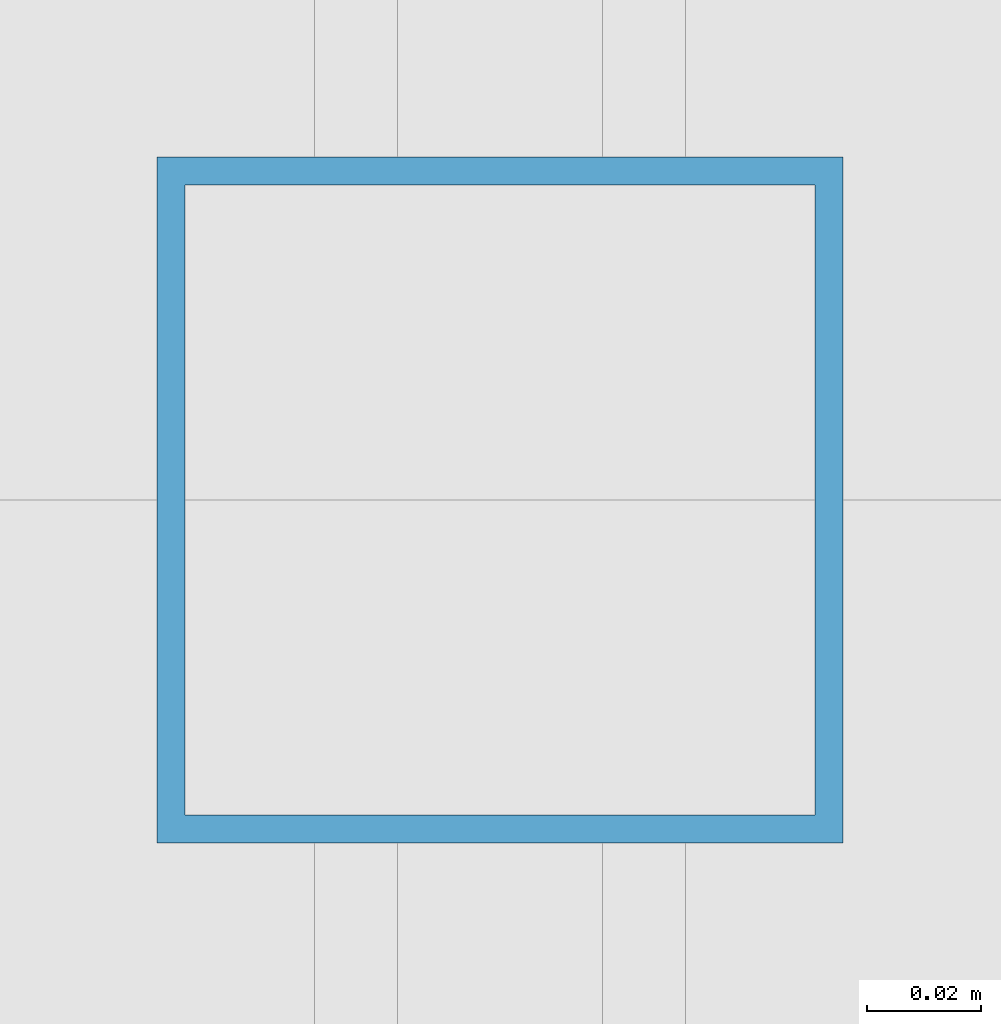
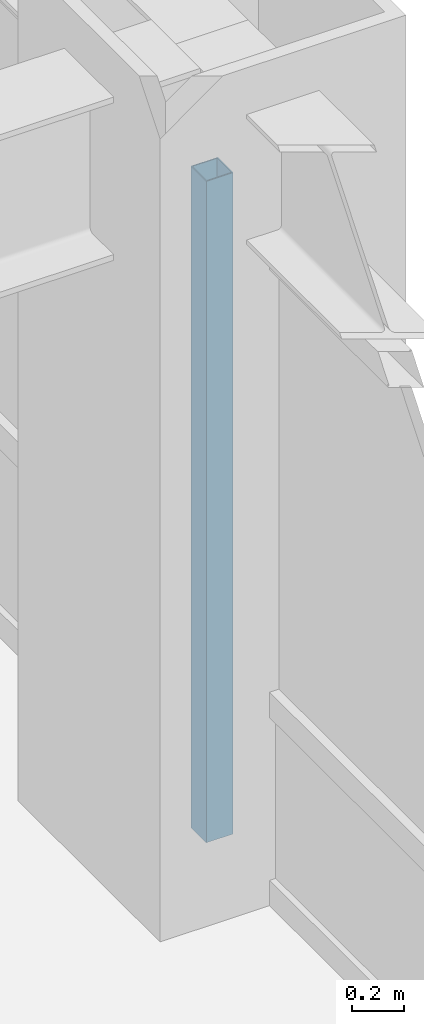
# One storey, part 10 of 24: 1 member, 1 element without a shape of its own.
"""IFC4 building model written with IfcOpenShell, lengths in metres."""

import ifcopenshell
import ifcopenshell.guid

model = None  # the IFC model being written
_history = None  # IfcOwnerHistory: only IFC2X3 demands one
_inside = {}  # id of a spatial element -> (the spatial element, [elements in it])
_under = {}  # id of a project, library or spatial element -> (it, [spatial elements below it])
_declared = {}  # id of a project -> (the project, [libraries it declares])
_typed = {}  # id of a type object -> (the type object, [elements of that type])
_made_of = {}  # id of a material, layer set ... -> (it, [elements and type objects made of it])


def new_model(schema):
    """Start an empty IFC model of exactly this schema.

    Asked for "IFC4X3", IfcOpenShell would pick the latest addendum, in which some entities
    have other attributes; the version numbers below select the first issue.
    IFC2X3 requires an IfcOwnerHistory on every rooted entity: one is made here for all.
    """
    global model, _history
    if schema == "IFC4X3":
        model = ifcopenshell.file(schema_version=(4, 3, 0, 0))
    else:
        model = ifcopenshell.file(schema=schema)
    _inside.clear()
    _under.clear()
    _declared.clear()
    _typed.clear()
    _made_of.clear()
    _history = None
    if model.schema == "IFC2X3":
        org = make("IfcOrganization", Name="unknown")
        user = make(
            "IfcPersonAndOrganization",
            ThePerson=make("IfcPerson", FamilyName="unknown"),
            TheOrganization=org,
        )
        app = make(
            "IfcApplication",
            ApplicationDeveloper=org,
            Version="unknown",
            ApplicationFullName="unknown",
            ApplicationIdentifier="unknown",
        )
        _history = make(
            "IfcOwnerHistory",
            OwningUser=user,
            OwningApplication=app,
            ChangeAction="ADDED",
            CreationDate=0,
        )
    return model


def make(cls, **values):
    """One entity of the class cls with the attributes given. An attribute that is None is left unset."""
    return model.create_entity(
        cls, **{name: value for name, value in values.items() if value is not None}
    )


def rooted(cls, **values):
    """An entity with a GlobalId (a new one), such as an element, a storey or a relation."""
    return make(cls, GlobalId=ifcopenshell.guid.new(), OwnerHistory=_history, **values)


def si_unit(unit_type, name, prefix=None):
    """IfcSIUnit, for example si_unit("LENGTHUNIT", "METRE", prefix="MILLI")."""
    return make("IfcSIUnit", UnitType=unit_type, Prefix=prefix, Name=name)


def assignment(units):
    """IfcUnitAssignment: the units of a project."""
    return None if units is None else make("IfcUnitAssignment", Units=units)


def point(xyz):
    """IfcCartesianPoint."""
    return None if xyz is None else make("IfcCartesianPoint", Coordinates=xyz)


def direction(xyz):
    """IfcDirection."""
    return None if xyz is None else make("IfcDirection", DirectionRatios=xyz)


def frame(location, z_axis=None, x_axis=None):
    """IfcAxis2Placement3D, a coordinate frame: its origin and axes. An axis left out is left unset."""
    return make(
        "IfcAxis2Placement3D",
        Location=point(location),
        Axis=direction(z_axis),
        RefDirection=direction(x_axis),
    )


def frame_2d(location, x_axis=None):
    """IfcAxis2Placement2D, a coordinate frame in the plane: its origin and x axis."""
    return make(
        "IfcAxis2Placement2D", Location=point(location), RefDirection=direction(x_axis)
    )


def origin():
    """The frame at (0, 0, 0) with its axes left unset."""
    return frame((0.0, 0.0, 0.0))


def origin_2d():
    """The frame at (0, 0) in the plane with its x axis left unset."""
    return frame_2d((0.0, 0.0))


def place(relative_to, where):
    """IfcLocalPlacement: puts the frame where relative to a parent placement (None: the world)."""
    return make(
        "IfcLocalPlacement", PlacementRelTo=relative_to, RelativePlacement=where
    )


def context(
    kind, dimensions, precision=None, world=None, true_north=None, identifier=None
):
    """IfcGeometricRepresentationContext, for example the 3D "Model" context."""
    return make(
        "IfcGeometricRepresentationContext",
        ContextIdentifier=identifier,
        ContextType=kind,
        CoordinateSpaceDimension=dimensions,
        Precision=precision,
        WorldCoordinateSystem=world,
        TrueNorth=true_north,
    )


def subcontext(parent, identifier, kind, view, scale=None):
    """IfcGeometricRepresentationSubContext, for example "Body" below "Model"."""
    return make(
        "IfcGeometricRepresentationSubContext",
        ContextIdentifier=identifier,
        ContextType=kind,
        ParentContext=parent,
        TargetScale=scale,
        TargetView=view,
    )


def project(units=None, contexts=None):
    """IfcProject with its units and contexts."""
    return rooted(
        "IfcProject",
        Name="project",
        RepresentationContexts=contexts,
        UnitsInContext=assignment(units),
    )


def spatial(cls, under=None, at=None, **own):
    """A site, building, storey or space (cls), placed at a placement, below another one or the project."""
    s = rooted(cls, ObjectPlacement=at, **own)
    if under is not None:
        _under.setdefault(under.id(), (under, []))[1].append(s)
    return s


def profile(cls, at=None, kind="AREA", **sizes):
    """A parametric profile (cls). Its sizes go by their IFC names, for example OverallWidth=200.0."""
    return make(cls, ProfileType=kind, Position=at, **sizes)


def hollow_rectangle(**sizes):
    """IfcRectangleHollowProfileDef."""
    return profile("IfcRectangleHollowProfileDef", **sizes)


def extrude(swept, where, along, depth):
    """IfcExtrudedAreaSolid: the profile swept, set in the frame where, extruded along a direction by depth."""
    return make(
        "IfcExtrudedAreaSolid",
        SweptArea=swept,
        Position=where,
        ExtrudedDirection=direction(along),
        Depth=depth,
    )


def shape(context_of_items, identifier, shape_type, items):
    """IfcShapeRepresentation: the items that make up one representation, for example the "Body"."""
    return make(
        "IfcShapeRepresentation",
        ContextOfItems=context_of_items,
        RepresentationIdentifier=identifier,
        RepresentationType=shape_type,
        Items=items,
    )


def source(mapping_origin, context_of_items, identifier, shape_type, items):
    """IfcRepresentationMap: a shape defined once, which mapped items show again and again."""
    return make(
        "IfcRepresentationMap",
        MappingOrigin=mapping_origin,
        MappedRepresentation=shape(context_of_items, identifier, shape_type, items),
    )


def transform(
    local_origin,
    x_axis=None,
    y_axis=None,
    z_axis=None,
    scale=None,
    scale2=None,
    scale3=None,
    uniform=True,
):
    """IfcCartesianTransformationOperator3D, or its non-uniform kind. x_axis, y_axis, z_axis: its Axis1, 2, 3."""
    if uniform:
        return make(
            "IfcCartesianTransformationOperator3D",
            Axis1=direction(x_axis),
            Axis2=direction(y_axis),
            LocalOrigin=point(local_origin),
            Scale=scale,
            Axis3=direction(z_axis),
        )
    return make(
        "IfcCartesianTransformationOperator3DnonUniform",
        Axis1=direction(x_axis),
        Axis2=direction(y_axis),
        LocalOrigin=point(local_origin),
        Scale=scale,
        Axis3=direction(z_axis),
        Scale2=scale2,
        Scale3=scale3,
    )


def mapped(mapping_source, mapping_target):
    """IfcMappedItem: shows the shape of a source again, moved by a transform."""
    return make(
        "IfcMappedItem", MappingSource=mapping_source, MappingTarget=mapping_target
    )


def material(Name=None, Category=None):
    """IfcMaterial."""
    return make("IfcMaterial", Name=Name, Category=Category)


def material_profile(
    of_material, cross_section, Name=None, Category=None, Priority=None
):
    """IfcMaterialProfile: a cross section and its material."""
    return make(
        "IfcMaterialProfile",
        Name=Name,
        Material=of_material,
        Profile=cross_section,
        Priority=Priority,
        Category=Category,
    )


def profile_set(profiles, Name=None, composite=None):
    """IfcMaterialProfileSet."""
    return make(
        "IfcMaterialProfileSet",
        Name=Name,
        MaterialProfiles=profiles,
        CompositeProfile=composite,
    )


def made_of(thing, what):
    """Note that an element or type object is made of a material, layer set ...; save() writes the relation."""
    if what is not None:
        _made_of.setdefault(what.id(), (what, []))[1].append(thing)
    return thing


def type_object(cls, material=None, **own):
    """A type object (cls), such as IfcWallType, which elements share."""
    return made_of(rooted(cls, **own), material)


def element(
    cls,
    number,
    at=None,
    inside=None,
    cuts=None,
    type_object=None,
    material=None,
    context=None,
    identifier="Body",
    shape_type=None,
    held_by="IfcProductDefinitionShape",
    body=None,
    shapes=None,
    **own,
):
    """One element of the class cls, such as IfcWall. Its Tag is "e" and its number.

    at: its placement. inside: the storey or other place that contains it. cuts: it is an
    opening in that element (IfcRelVoidsElement). A single representation is given by context,
    identifier, shape_type and body (its items); several are given by shapes. held_by: the class
    of the entity that holds the representations. save() writes the other relations.
    """
    e = rooted(cls, Tag="e%d" % number, ObjectPlacement=at, **own)
    if body is not None:
        shapes = [shape(context, identifier, shape_type, body)]
    if shapes is not None:
        e.Representation = make(held_by, Representations=shapes)
    if inside is not None:
        _inside.setdefault(inside.id(), (inside, []))[1].append(e)
    if cuts is not None:
        rooted(
            "IfcRelVoidsElement", RelatingBuildingElement=cuts, RelatedOpeningElement=e
        )
    if type_object is not None:
        _typed.setdefault(type_object.id(), (type_object, []))[1].append(e)
    return made_of(e, material)


def aggregate(whole, parts):
    """IfcRelAggregates: a whole, such as a stair, and the parts it consists of."""
    return rooted("IfcRelAggregates", RelatingObject=whole, RelatedObjects=parts)


def save(model, path):
    """Write the relations noted so far, then the file.

    IfcRelAggregates (storeys below a building ...), IfcRelContainedInSpatialStructure (elements
    in a storey), IfcRelDefinesByType, IfcRelAssociatesMaterial and IfcRelDeclares: one each for
    every whole, place, type object, material and project.
    """
    for whole, parts in _under.values():
        aggregate(whole, parts)
    for where, things in _inside.values():
        rooted(
            "IfcRelContainedInSpatialStructure",
            RelatedElements=things,
            RelatingStructure=where,
        )
    for kind, things in _typed.values():
        rooted("IfcRelDefinesByType", RelatedObjects=things, RelatingType=kind)
    for what, things in _made_of.values():
        rooted("IfcRelAssociatesMaterial", RelatedObjects=things, RelatingMaterial=what)
    for by, libraries in _declared.values():
        rooted("IfcRelDeclares", RelatingContext=by, RelatedDefinitions=libraries)
    model.write(path)


model = new_model("IFC4")

# Units and contexts
model_context = context("Model", 3, precision=1e-05, world=origin(), true_north=direction((0.0, 1.0)))
body_context = subcontext(model_context, "Body", "Model", "MODEL_VIEW")
ifc_project = project(units=[si_unit("LENGTHUNIT", "METRE"), si_unit("AREAUNIT", "SQUARE_METRE"), si_unit("VOLUMEUNIT", "CUBIC_METRE"), si_unit("PLANEANGLEUNIT", "RADIAN"), si_unit("MASSUNIT", "GRAM", prefix="KILO")], contexts=[model_context])

# Site, building, storey
site_placement = place(None, origin())
site = spatial("IfcSite", under=ifc_project, at=site_placement, CompositionType="ELEMENT")
building_placement = place(site_placement, origin())
building = spatial("IfcBuilding", under=site, at=building_placement, Name="Khorayat Bourse Tower", CompositionType="ELEMENT")
storey_placement = place(building_placement, frame((0.0, 0.0, 175.10009765625)))
storey = spatial("IfcBuildingStorey", under=building, at=storey_placement, Name="L40", CompositionType="ELEMENT", Elevation=175.10009765625)

# Curtain wall, member
ifc_material = material(Name="Aluminium EN AW-6063 T6", Category="aluminium")
curtain_wall_type = type_object("IfcCurtainWallType", Name="CW-SYS-03", PredefinedType="NOTDEFINED", material=ifc_material)
curtain_wall_placement = place(storey_placement, origin())
curtain_wall = element("IfcCurtainWall", 1, at=curtain_wall_placement, inside=storey, type_object=curtain_wall_type, Name="L40 Curtain Wall CW-L40-E1", PredefinedType="NOTDEFINED")
ifc_material_profile = material_profile(ifc_material, hollow_rectangle(XDim=0.1201171875, YDim=0.1201171875, WallThickness=0.0048828125, at=origin_2d()), Name="ALU 120x120x5")
ifc_profile_set = profile_set([ifc_material_profile], Name="Aluminium EN AW-6063 T6")
member_type = type_object("IfcMemberType", Name="CWM-VERT-120", PredefinedType="MULLION", material=ifc_profile_set)
shared_shape = source(origin(), body_context, "Body", "SweptSolid", [
    extrude(hollow_rectangle(XDim=0.1201171875, YDim=0.1201171875, WallThickness=0.0048828125, at=origin_2d()), origin(), (0.0, 0.0, 1.0), 3.1298828125),
])
member_placement = place(storey_placement, frame((30.0, 0.0, 0.0), z_axis=(0.0, 0.0, 1.0), x_axis=(-1.0, 0.0, 0.0)))
member = element("IfcMember", 2, at=member_placement, type_object=member_type, Name="CW-L40-E1 Vertical Mullion 2", PredefinedType="MULLION", context=body_context, shape_type="MappedRepresentation", body=[
    mapped(shared_shape, transform((0.0, 0.0, 0.0), scale=1.0)),
])
aggregate(curtain_wall, [member])

save(model, "model.ifc")
